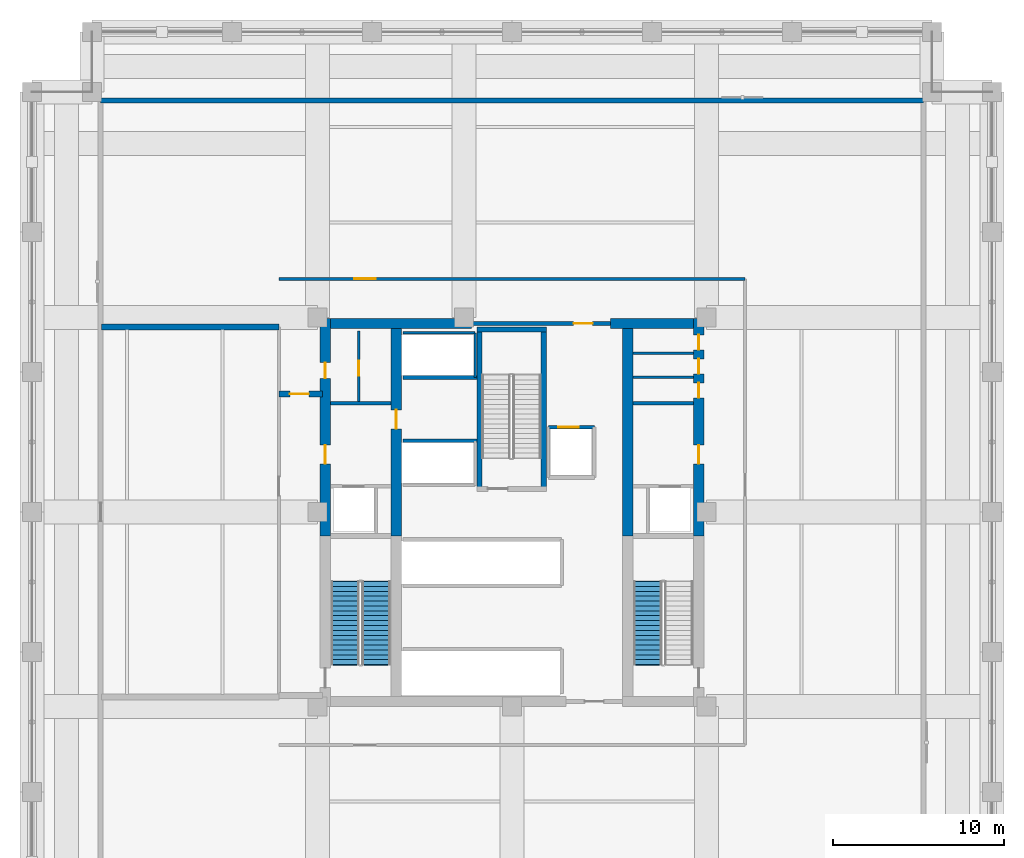
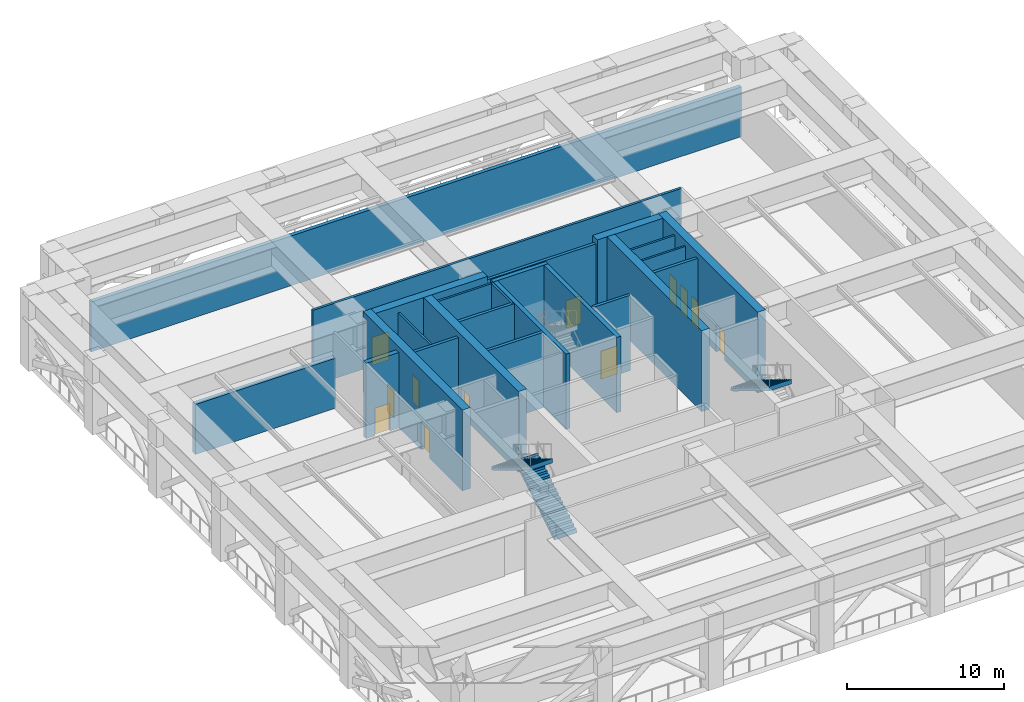
# One storey, part 4 of 12: 24 walls, 12 doors, 3 stair flights, 12 openings, 2 elements without a shape of their own.
"""IFC4 building model written with IfcOpenShell, lengths in metres."""

from ifc_helpers import new_model, si_unit, direction, frame, frame_2d, origin, place, context, subcontext, project, spatial, polyline, rectangle, outline, extrude, material, layer, layer_set, type_object, element, fill, aggregate, save


model = new_model("IFC4")

# Units and contexts
model_context = context("Model", 3, precision=1e-05, world=origin(), true_north=direction((0.0, 1.0)))
body_context = subcontext(model_context, "Body", "Model", "MODEL_VIEW")
ifc_project = project(units=[si_unit("LENGTHUNIT", "METRE"), si_unit("AREAUNIT", "SQUARE_METRE"), si_unit("VOLUMEUNIT", "CUBIC_METRE"), si_unit("PLANEANGLEUNIT", "RADIAN"), si_unit("MASSUNIT", "GRAM", prefix="KILO")], contexts=[model_context])

# Site, building, storey
site_placement = place(None, origin())
site = spatial("IfcSite", under=ifc_project, at=site_placement, CompositionType="ELEMENT")
building_placement = place(site_placement, origin())
building = spatial("IfcBuilding", under=site, at=building_placement, Name="Nhamokura Convention Tower", CompositionType="ELEMENT")
storey_placement = place(building_placement, frame((0.0, 0.0, 99.75)))
storey = spatial("IfcBuildingStorey", under=building, at=storey_placement, Name="L24", CompositionType="ELEMENT", Elevation=99.75)

# Wall, opening, door
ifc_material_1 = material(Name="Moisture-resistant tile-backer partition", Category="masonry")
ifc_layer_1 = layer(ifc_material_1, 0.139892578125)
ifc_layer_set_1 = layer_set([ifc_layer_1], Name="BathroomWetWall_140")
wall_type_1 = type_object("IfcWallType", Name="BathroomWetWall_140", PredefinedType="STANDARD", material=ifc_layer_set_1)
wall_1_placement = place(storey_placement, frame((23.050048828125, 38.449951171875, 0.0), z_axis=(0.0, 0.0, 1.0), x_axis=(0.0, 1.0, 0.0)))
wall_1 = element("IfcWall", 1, at=wall_1_placement, inside=storey, type_object=wall_type_1, Name="L24 Wall INT-L24-CWNWV", PredefinedType="STANDARD", context=body_context, shape_type="SweptSolid", body=[
    extrude(rectangle(XDim=4.10009765625, YDim=0.139892578125, at=frame_2d((2.050048828125, 0.0))), origin(), (0.0, 0.0, 1.0), 5.8798828125),
])
opening_1_placement = place(wall_1_placement, frame((1.5, 0.0, 0.0)))
opening_1 = element("IfcOpeningElement", 2, at=opening_1_placement, cuts=wall_1, Name="Opening D-11", PredefinedType="OPENING", context=body_context, shape_type="SweptSolid", body=[
    extrude(rectangle(XDim=0.8798828125, YDim=2.10009765625, at=frame_2d((0.43994140625, 1.050048828125))), frame((0.0, 0.079833984375, 0.0), z_axis=(0.0, -1.0, 0.0), x_axis=(1.0, 0.0, 0.0)), (0.0, 0.0, 1.0), 0.159912109375),
])
ifc_material_2 = material(Name="Solid oak hardwood", Category="wood")
door_type_1 = type_object("IfcDoorType", Name="BathroomDoor_880", OperationType="NOTDEFINED", PredefinedType="DOOR", material=ifc_material_2)
door_1_placement = place(opening_1_placement, origin())
door_1 = element("IfcDoor", 3, at=door_1_placement, inside=storey, type_object=door_type_1, Name="L24 Inner Store Door", OperationType="SINGLE_SWING_LEFT", OverallHeight=2.10009765625, OverallWidth=0.8798828125, PredefinedType="DOOR", context=body_context, shape_type="SweptSolid", body=[
    extrude(rectangle(XDim=0.8798828125, YDim=2.10009765625, at=frame_2d((0.43994140625, 1.050048828125))), frame((0.0, 0.02490234375, 0.0), z_axis=(0.0, -1.0, 0.0), x_axis=(1.0, 0.0, 0.0)), (0.0, 0.0, 1.0), 0.050048828125),
])
fill(opening_1, door_1)

# Walls
for number, where, z_axis, x_axis, name in (
    (4, (39.06005859375, 39.85009765625, 0.0), (0.0, 0.0, 1.0), (1.0, 0.0, 0.0), "L24 Wall INT-L24-CWNE1"),
    (5, (39.06005859375, 41.25, 0.0), (0.0, 0.0, 1.0), (1.0, 0.0, 0.0), "L24 Wall INT-L24-CWNE2"),
):
    element("IfcWall", number, at=place(storey_placement, frame(where, z_axis=z_axis, x_axis=x_axis)), inside=storey, type_object=wall_type_1, Name=name, PredefinedType="STANDARD", context=body_context, shape_type="SweptSolid", body=[
        extrude(rectangle(XDim=3.530029296875, YDim=0.139892578125, at=frame_2d((1.76513671875, 0.0))), origin(), (0.0, 0.0, 1.0), 5.8798828125),
    ])
ifc_material_3 = material(Name="Bronze-pigmented precast concrete C45/55", Category="concrete")
ifc_layer_2 = layer(ifc_material_3, 0.280029296875)
ifc_layer_set_2 = layer_set([ifc_layer_2], Name="BronzePrecastSpandrel_280")
wall_type_2 = type_object("IfcWallType", Name="BronzePrecastSpandrel_280", PredefinedType="USERDEFINED", material=ifc_layer_set_2)
wall_2_placement = place(storey_placement, frame((8.0, 56.0, 0.0), z_axis=(0.0, 0.0, 1.0), x_axis=(1.0, 0.0, 0.0)))
element("IfcWall", 6, at=wall_2_placement, inside=storey, type_object=wall_type_2, Name="L24 Refuge Deck Enclosure Wall N", ObjectType="SPANDREL_WALL", PredefinedType="USERDEFINED", context=body_context, shape_type="SweptSolid", body=[
    extrude(rectangle(XDim=48.0, YDim=0.280029296875, at=frame_2d((24.0, 0.0))), origin(), (0.0, 0.0, 1.0), 3.8798828125),
])

# Wall, openings, doors
ifc_material_4 = material(Name="Concrete C60/75", Category="concrete")
ifc_layer_3 = layer(ifc_material_4, 0.60009765625)
ifc_layer_set_3 = layer_set([ifc_layer_3], Name="CoreShearWall_600")
wall_type_3 = type_object("IfcWallType", Name="CoreShearWall_600", PredefinedType="SHEAR", material=ifc_layer_set_3)
wall_3_placement = place(storey_placement, frame((21.110107421875, 30.60009765625, 0.0), z_axis=(0.0, 0.0, 1.0), x_axis=(0.0, 1.0, 0.0)))
wall_3 = element("IfcWall", 7, at=wall_3_placement, inside=storey, type_object=wall_type_3, Name="L24 Core Shear Wall CW-WN", PredefinedType="SHEAR", context=body_context, shape_type="SweptSolid", body=[
    extrude(rectangle(XDim=12.699951171875, YDim=0.60009765625, at=frame_2d((6.35009765625, 0.0))), origin(), (0.0, 0.0, 1.0), 6.300048828125),
])
opening_2_placement = place(wall_3_placement, frame((4.199951171875, 0.0, 0.0)))
opening_2 = element("IfcOpeningElement", 8, at=opening_2_placement, cuts=wall_3, Name="Opening D-05", PredefinedType="OPENING", context=body_context, shape_type="SweptSolid", body=[
    extrude(rectangle(XDim=1.10009765625, YDim=2.14990234375, at=frame_2d((0.550048828125, 1.074951171875))), frame((0.0, 0.31005859375, 0.0), z_axis=(0.0, -1.0, 0.0), x_axis=(1.0, 0.0, 0.0)), (0.0, 0.0, 1.0), 0.6201171875),
])
opening_3_placement = place(wall_3_placement, frame((9.199951171875, 0.0, 0.0)))
opening_3 = element("IfcOpeningElement", 9, at=opening_3_placement, cuts=wall_3, Name="Opening D-10", PredefinedType="OPENING", context=body_context, shape_type="SweptSolid", body=[
    extrude(rectangle(XDim=0.919921875, YDim=2.10009765625, at=frame_2d((0.4599609375, 1.050048828125))), frame((0.0, 0.31005859375, 0.0), z_axis=(0.0, -1.0, 0.0), x_axis=(1.0, 0.0, 0.0)), (0.0, 0.0, 1.0), 0.6201171875),
])
ifc_material_5 = material(Name="Solid oak hardwood", Category="wood")
door_type_2 = type_object("IfcDoorType", Name="AccessibleWCDoor_920", OperationType="NOTDEFINED", PredefinedType="DOOR", material=ifc_material_5)
door_2_placement = place(opening_3_placement, origin())
door_2 = element("IfcDoor", 10, at=door_2_placement, inside=storey, type_object=door_type_2, Name="L24 Core Door INT-L24-D-AWCW", OperationType="SINGLE_SWING_RIGHT", OverallHeight=2.10009765625, OverallWidth=0.919921875, PredefinedType="DOOR", context=body_context, shape_type="SweptSolid", body=[
    extrude(rectangle(XDim=0.919921875, YDim=2.10009765625, at=frame_2d((0.4599609375, 1.050048828125))), frame((0.0, 0.02490234375, 0.0), z_axis=(0.0, -1.0, 0.0), x_axis=(1.0, 0.0, 0.0)), (0.0, 0.0, 1.0), 0.050048828125),
])
fill(opening_3, door_2)
ifc_material_6 = material(Name="Fire-rated steel door", Category="steel")
door_type_3 = type_object("IfcDoorType", Name="FireLobbyDoor_1100", OperationType="NOTDEFINED", PredefinedType="DOOR", material=ifc_material_6)
door_3_placement = place(opening_2_placement, origin())
door_3 = element("IfcDoor", 11, at=door_3_placement, inside=storey, type_object=door_type_3, Name="L24 Core Door INT-L24-D-FFLW", OperationType="SINGLE_SWING_RIGHT", OverallHeight=2.14990234375, OverallWidth=1.10009765625, PredefinedType="DOOR", context=body_context, shape_type="SweptSolid", body=[
    extrude(rectangle(XDim=1.10009765625, YDim=2.14990234375, at=frame_2d((0.550048828125, 1.074951171875))), frame((0.0, 0.02490234375, 0.0), z_axis=(0.0, -1.0, 0.0), x_axis=(1.0, 0.0, 0.0)), (0.0, 0.0, 1.0), 0.050048828125),
])
fill(opening_2, door_3)

wall_4_placement = place(storey_placement, frame((42.889892578125, 30.60009765625, 0.0), z_axis=(0.0, 0.0, 1.0), x_axis=(0.0, 1.0, 0.0)))
wall_4 = element("IfcWall", 12, at=wall_4_placement, inside=storey, type_object=wall_type_3, Name="L24 Core Shear Wall CW-EN", PredefinedType="SHEAR", context=body_context, shape_type="SweptSolid", body=[
    extrude(rectangle(XDim=12.699951171875, YDim=0.60009765625, at=frame_2d((6.35009765625, 0.0))), origin(), (0.0, 0.0, 1.0), 6.300048828125),
])
opening_4_placement = place(wall_4_placement, frame((4.199951171875, 0.0, 0.0)))
opening_4 = element("IfcOpeningElement", 13, at=opening_4_placement, cuts=wall_4, Name="Opening D-05", PredefinedType="OPENING", context=body_context, shape_type="SweptSolid", body=[
    extrude(rectangle(XDim=1.10009765625, YDim=2.14990234375, at=frame_2d((0.550048828125, 1.074951171875))), frame((0.0, 0.31005859375, 0.0), z_axis=(0.0, -1.0, 0.0), x_axis=(1.0, 0.0, 0.0)), (0.0, 0.0, 1.0), 0.6201171875),
])
opening_5_placement = place(wall_4_placement, frame((8.050048828125, 0.0, 0.0)))
opening_5 = element("IfcOpeningElement", 14, at=opening_5_placement, cuts=wall_4, Name="Opening D-11", PredefinedType="OPENING", context=body_context, shape_type="SweptSolid", body=[
    extrude(rectangle(XDim=0.8798828125, YDim=2.10009765625, at=frame_2d((0.43994140625, 1.050048828125))), frame((0.0, 0.31005859375, 0.0), z_axis=(0.0, -1.0, 0.0), x_axis=(1.0, 0.0, 0.0)), (0.0, 0.0, 1.0), 0.6201171875),
])
opening_6_placement = place(wall_4_placement, frame((9.449951171875, 0.0, 0.0)))
opening_6 = element("IfcOpeningElement", 15, at=opening_6_placement, cuts=wall_4, Name="Opening D-11", PredefinedType="OPENING", context=body_context, shape_type="SweptSolid", body=[
    extrude(rectangle(XDim=0.8798828125, YDim=2.10009765625, at=frame_2d((0.43994140625, 1.050048828125))), frame((0.0, 0.31005859375, 0.0), z_axis=(0.0, -1.0, 0.0), x_axis=(1.0, 0.0, 0.0)), (0.0, 0.0, 1.0), 0.6201171875),
])
opening_7_placement = place(wall_4_placement, frame((10.85009765625, 0.0, 0.0)))
opening_7 = element("IfcOpeningElement", 16, at=opening_7_placement, cuts=wall_4, Name="Opening D-11", PredefinedType="OPENING", context=body_context, shape_type="SweptSolid", body=[
    extrude(rectangle(XDim=0.8798828125, YDim=2.10009765625, at=frame_2d((0.43994140625, 1.050048828125))), frame((0.0, 0.31005859375, 0.0), z_axis=(0.0, -1.0, 0.0), x_axis=(1.0, 0.0, 0.0)), (0.0, 0.0, 1.0), 0.6201171875),
])
door_4_placement = place(opening_5_placement, origin())
door_4 = element("IfcDoor", 17, at=door_4_placement, inside=storey, type_object=door_type_1, Name="L24 Core Door INT-L24-D-MWC", OperationType="SINGLE_SWING_LEFT", OverallHeight=2.10009765625, OverallWidth=0.8798828125, PredefinedType="DOOR", context=body_context, shape_type="SweptSolid", body=[
    extrude(rectangle(XDim=0.8798828125, YDim=2.10009765625, at=frame_2d((0.43994140625, 1.050048828125))), frame((0.0, 0.02490234375, 0.0), z_axis=(0.0, -1.0, 0.0), x_axis=(1.0, 0.0, 0.0)), (0.0, 0.0, 1.0), 0.050048828125),
])
fill(opening_5, door_4)
door_5_placement = place(opening_6_placement, origin())
door_5 = element("IfcDoor", 18, at=door_5_placement, inside=storey, type_object=door_type_1, Name="L24 Core Door INT-L24-D-FWC", OperationType="SINGLE_SWING_RIGHT", OverallHeight=2.10009765625, OverallWidth=0.8798828125, PredefinedType="DOOR", context=body_context, shape_type="SweptSolid", body=[
    extrude(rectangle(XDim=0.8798828125, YDim=2.10009765625, at=frame_2d((0.43994140625, 1.050048828125))), frame((0.0, 0.02490234375, 0.0), z_axis=(0.0, -1.0, 0.0), x_axis=(1.0, 0.0, 0.0)), (0.0, 0.0, 1.0), 0.050048828125),
])
fill(opening_6, door_5)
door_6_placement = place(opening_7_placement, origin())
door_6 = element("IfcDoor", 19, at=door_6_placement, inside=storey, type_object=door_type_1, Name="L24 Core Door INT-L24-D-ARC", OperationType="SINGLE_SWING_LEFT", OverallHeight=2.10009765625, OverallWidth=0.8798828125, PredefinedType="DOOR", context=body_context, shape_type="SweptSolid", body=[
    extrude(rectangle(XDim=0.8798828125, YDim=2.10009765625, at=frame_2d((0.43994140625, 1.050048828125))), frame((0.0, 0.02490234375, 0.0), z_axis=(0.0, -1.0, 0.0), x_axis=(1.0, 0.0, 0.0)), (0.0, 0.0, 1.0), 0.050048828125),
])
fill(opening_7, door_6)
door_7_placement = place(opening_4_placement, origin())
door_7 = element("IfcDoor", 20, at=door_7_placement, inside=storey, type_object=door_type_3, Name="L24 Core Door INT-L24-D-FFLE", OperationType="SINGLE_SWING_LEFT", OverallHeight=2.14990234375, OverallWidth=1.10009765625, PredefinedType="DOOR", context=body_context, shape_type="SweptSolid", body=[
    extrude(rectangle(XDim=1.10009765625, YDim=2.14990234375, at=frame_2d((0.550048828125, 1.074951171875))), frame((0.0, 0.02490234375, 0.0), z_axis=(0.0, -1.0, 0.0), x_axis=(1.0, 0.0, 0.0)), (0.0, 0.0, 1.0), 0.050048828125),
])
fill(opening_4, door_7)

# Walls
wall_5_placement = place(storey_placement, frame((21.409912109375, 43.0, 0.0), z_axis=(0.0, 0.0, 1.0), x_axis=(1.0, 0.0, 0.0)))
element("IfcWall", 21, at=wall_5_placement, inside=storey, type_object=wall_type_3, Name="L24 Core Shear Wall CW-N1", PredefinedType="SHEAR", context=body_context, shape_type="SweptSolid", body=[
    extrude(rectangle(XDim=8.239990234375, YDim=0.60009765625, at=frame_2d((4.1201171875, 0.0))), origin(), (0.0, 0.0, 1.0), 6.300048828125),
])
wall_6_placement = place(storey_placement, frame((37.75, 43.0, 0.0), z_axis=(0.0, 0.0, 1.0), x_axis=(1.0, 0.0, 0.0)))
element("IfcWall", 22, at=wall_6_placement, inside=storey, type_object=wall_type_3, Name="L24 Core Shear Wall CW-N2", PredefinedType="SHEAR", context=body_context, shape_type="SweptSolid", body=[
    extrude(rectangle(XDim=4.840087890625, YDim=0.60009765625, at=frame_2d((2.419921875, 0.0))), origin(), (0.0, 0.0, 1.0), 6.300048828125),
])

# Wall, opening, door
wall_7_placement = place(storey_placement, frame((25.239990234375, 30.60009765625, 0.0), z_axis=(0.0, 0.0, 1.0), x_axis=(0.0, 1.0, 0.0)))
wall_7 = element("IfcWall", 23, at=wall_7_placement, inside=storey, type_object=wall_type_3, Name="L24 Core Shear Wall CW-IWN", PredefinedType="SHEAR", context=body_context, shape_type="SweptSolid", body=[
    extrude(rectangle(XDim=12.099853515625, YDim=0.60009765625, at=frame_2d((6.0498046875, 0.0))), origin(), (0.0, 0.0, 1.0), 6.300048828125),
])
opening_8_placement = place(wall_7_placement, frame((6.25, 0.0, 0.0)))
opening_8 = element("IfcOpeningElement", 24, at=opening_8_placement, cuts=wall_7, Name="Opening D-05", PredefinedType="OPENING", context=body_context, shape_type="SweptSolid", body=[
    extrude(rectangle(XDim=1.10009765625, YDim=2.14990234375, at=frame_2d((0.550048828125, 1.074951171875))), frame((0.0, 0.31005859375, 0.0), z_axis=(0.0, -1.0, 0.0), x_axis=(1.0, 0.0, 0.0)), (0.0, 0.0, 1.0), 0.6201171875),
])
door_8_placement = place(opening_8_placement, origin())
door_8 = element("IfcDoor", 25, at=door_8_placement, inside=storey, type_object=door_type_3, Name="L24 Core Door INT-L24-D-B3LOB", OperationType="SINGLE_SWING_LEFT", OverallHeight=2.14990234375, OverallWidth=1.10009765625, PredefinedType="DOOR", context=body_context, shape_type="SweptSolid", body=[
    extrude(rectangle(XDim=1.10009765625, YDim=2.14990234375, at=frame_2d((0.550048828125, 1.074951171875))), frame((0.0, 0.02490234375, 0.0), z_axis=(0.0, -1.0, 0.0), x_axis=(1.0, 0.0, 0.0)), (0.0, 0.0, 1.0), 0.050048828125),
])
fill(opening_8, door_8)

# Wall
wall_8_placement = place(storey_placement, frame((38.760009765625, 30.60009765625, 0.0), z_axis=(0.0, 0.0, 1.0), x_axis=(0.0, 1.0, 0.0)))
element("IfcWall", 26, at=wall_8_placement, inside=storey, type_object=wall_type_3, Name="L24 Core Shear Wall CW-IEN", PredefinedType="SHEAR", context=body_context, shape_type="SweptSolid", body=[
    extrude(rectangle(XDim=12.099853515625, YDim=0.60009765625, at=frame_2d((6.0498046875, 0.0))), origin(), (0.0, 0.0, 1.0), 6.300048828125),
])

# Wall, opening, door
ifc_material_7 = material(Name="Fire-rated gypsum and masonry partition", Category="masonry")
ifc_layer_4 = layer(ifc_material_7, 0.179931640625)
ifc_layer_set_4 = layer_set([ifc_layer_4], Name="CorridorRatedWall_180")
wall_type_4 = type_object("IfcWallType", Name="CorridorRatedWall_180", PredefinedType="STANDARD", material=ifc_layer_set_4)
wall_9_placement = place(storey_placement, frame((18.39990234375, 45.60009765625, 0.0), z_axis=(0.0, 0.0, 1.0), x_axis=(1.0, 0.0, 0.0)))
wall_9 = element("IfcWall", 27, at=wall_9_placement, inside=storey, type_object=wall_type_4, Name="L24 Wall INT-L24-CW-N00", PredefinedType="STANDARD", context=body_context, shape_type="SweptSolid", body=[
    extrude(rectangle(XDim=27.2001953125, YDim=0.179931640625, at=frame_2d((13.60009765625, 0.0))), origin(), (0.0, 0.0, 1.0), 5.8798828125),
])
opening_9_placement = place(wall_9_placement, frame((4.39990234375, 0.0, 0.0)))
opening_9 = element("IfcOpeningElement", 28, at=opening_9_placement, cuts=wall_9, Name="Opening D-12", PredefinedType="OPENING", context=body_context, shape_type="SweptSolid", body=[
    extrude(rectangle(XDim=1.25, YDim=2.199951171875, at=frame_2d((0.625, 1.10009765625))), frame((0.0, 0.099853515625, 0.0), z_axis=(0.0, -1.0, 0.0), x_axis=(1.0, 0.0, 0.0)), (0.0, 0.0, 1.0), 0.199951171875),
])
ifc_material_8 = material(Name="Fire-rated steel door", Category="steel")
door_type_4 = type_object("IfcDoorType", Name="PlantServiceDoor_1250", OperationType="NOTDEFINED", PredefinedType="DOOR", material=ifc_material_8)
door_9_placement = place(opening_9_placement, origin())
door_9 = element("IfcDoor", 29, at=door_9_placement, inside=storey, type_object=door_type_4, Name="L24 High-Altitude AHU Plant N01 Door", OperationType="SINGLE_SWING_LEFT", OverallHeight=2.199951171875, OverallWidth=1.25, PredefinedType="DOOR", context=body_context, shape_type="SweptSolid", body=[
    extrude(rectangle(XDim=1.25, YDim=2.199951171875, at=frame_2d((0.625, 1.10009765625))), frame((0.0, 0.02490234375, 0.0), z_axis=(0.0, -1.0, 0.0), x_axis=(1.0, 0.0, 0.0)), (0.0, 0.0, 1.0), 0.050048828125),
])
fill(opening_9, door_9)

# Walls
ifc_material_9 = material(Name="Autoclaved concrete blockwork", Category="masonry")
ifc_layer_5 = layer(ifc_material_9, 0.219970703125)
ifc_layer_set_5 = layer_set([ifc_layer_5], Name="FireLobbyWall_220")
wall_type_5 = type_object("IfcWallType", Name="FireLobbyWall_220", PredefinedType="STANDARD", material=ifc_layer_set_5)
for number, where, z_axis, x_axis, name in (
    (30, (21.409912109375, 38.35009765625, 0.0), (0.0, 0.0, 1.0), (1.0, 0.0, 0.0), "L24 Wall INT-L24-FFW-N"),
    (31, (39.06005859375, 38.35009765625, 0.0), (0.0, 0.0, 1.0), (1.0, 0.0, 0.0), "L24 Wall INT-L24-FFE-N"),
):
    element("IfcWall", number, at=place(storey_placement, frame(where, z_axis=z_axis, x_axis=x_axis)), inside=storey, type_object=wall_type_5, Name=name, PredefinedType="STANDARD", context=body_context, shape_type="SweptSolid", body=[
        extrude(rectangle(XDim=3.530029296875, YDim=0.219970703125, at=frame_2d((1.76513671875, 0.0))), origin(), (0.0, 0.0, 1.0), 5.8798828125),
    ])
for number, where, z_axis, x_axis, name in (
    (32, (25.64990234375, 36.14990234375, 0.0), (0.0, 0.0, 1.0), (1.0, 0.0, 0.0), "L24 Wall INT-L24-B3S"),
    (33, (25.64990234375, 39.85009765625, 0.0), (0.0, 0.0, 1.0), (1.0, 0.0, 0.0), "L24 Wall INT-L24-B3N"),
):
    element("IfcWall", number, at=place(storey_placement, frame(where, z_axis=z_axis, x_axis=x_axis)), inside=storey, type_object=wall_type_5, Name=name, PredefinedType="STANDARD", context=body_context, shape_type="SweptSolid", body=[
        extrude(rectangle(XDim=4.300048828125, YDim=0.219970703125, at=frame_2d((2.14990234375, 0.0))), origin(), (0.0, 0.0, 1.0), 5.8798828125),
    ])

# Wall, opening, door
wall_10_placement = place(storey_placement, frame((29.64990234375, 43.0, 0.0), z_axis=(0.0, 0.0, 1.0), x_axis=(1.0, 0.0, 0.0)))
wall_10 = element("IfcWall", 34, at=wall_10_placement, inside=storey, type_object=wall_type_5, Name="L24 Wall INT-L24-CPORT-N", PredefinedType="STANDARD", context=body_context, shape_type="SweptSolid", body=[
    extrude(rectangle(XDim=8.10009765625, YDim=0.219970703125, at=frame_2d((4.050048828125, 0.0))), origin(), (0.0, 0.0, 1.0), 5.8798828125),
])
opening_10_placement = place(wall_10_placement, frame((5.949951171875, 0.0, 0.0)))
opening_10 = element("IfcOpeningElement", 35, at=opening_10_placement, cuts=wall_10, Name="Opening D-05", PredefinedType="OPENING", context=body_context, shape_type="SweptSolid", body=[
    extrude(rectangle(XDim=1.10009765625, YDim=2.14990234375, at=frame_2d((0.550048828125, 1.074951171875))), frame((0.0, 0.119873046875, 0.0), z_axis=(0.0, -1.0, 0.0), x_axis=(1.0, 0.0, 0.0)), (0.0, 0.0, 1.0), 0.239990234375),
])
door_10_placement = place(opening_10_placement, origin())
door_10 = element("IfcDoor", 36, at=door_10_placement, inside=storey, type_object=door_type_3, Name="L24 North Core Lobby Portal Door", OperationType="SINGLE_SWING_RIGHT", OverallHeight=2.14990234375, OverallWidth=1.10009765625, PredefinedType="DOOR", context=body_context, shape_type="SweptSolid", body=[
    extrude(rectangle(XDim=1.10009765625, YDim=2.14990234375, at=frame_2d((0.550048828125, 1.074951171875))), frame((0.0, 0.02490234375, 0.0), z_axis=(0.0, -1.0, 0.0), x_axis=(1.0, 0.0, 0.0)), (0.0, 0.0, 1.0), 0.050048828125),
])
fill(opening_10, door_10)

wall_11_placement = place(storey_placement, frame((34.1201171875, 36.949951171875, 0.0), z_axis=(0.0, 0.0, 1.0), x_axis=(1.0, 0.0, 0.0)))
wall_11 = element("IfcWall", 37, at=wall_11_placement, inside=storey, type_object=wall_type_5, Name="L24 Wall INT-L24-LSN", PredefinedType="STANDARD", context=body_context, shape_type="SweptSolid", body=[
    extrude(rectangle(XDim=2.679931640625, YDim=0.219970703125, at=frame_2d((1.33984375, 0.0))), origin(), (0.0, 0.0, 1.0), 5.8798828125),
])
opening_11_placement = place(wall_11_placement, frame((0.580078125, 0.0, 0.0)))
opening_11 = element("IfcOpeningElement", 38, at=opening_11_placement, cuts=wall_11, Name="Opening LD-02", PredefinedType="OPENING", context=body_context, shape_type="SweptSolid", body=[
    extrude(rectangle(XDim=1.199951171875, YDim=2.199951171875, at=frame_2d((0.60009765625, 1.10009765625))), frame((0.0, 0.119873046875, 0.0), z_axis=(0.0, -1.0, 0.0), x_axis=(1.0, 0.0, 0.0)), (0.0, 0.0, 1.0), 0.239990234375),
])
ifc_material_10 = material(Name="Anodised bronze stainless steel", Category="steel")
door_type_5 = type_object("IfcDoorType", Name="LiftLandingDoor_FireService", OperationType="DOUBLE_DOOR_SLIDING", PredefinedType="DOOR", material=ifc_material_10)
door_11_placement = place(opening_11_placement, origin())
door_11 = element("IfcDoor", 39, at=door_11_placement, inside=storey, type_object=door_type_5, Name="L24 Service Lift LS-01 Door", OperationType="DOUBLE_DOOR_SLIDING", OverallHeight=2.199951171875, OverallWidth=1.199951171875, PredefinedType="DOOR", context=body_context, shape_type="SweptSolid", body=[
    extrude(rectangle(XDim=1.199951171875, YDim=2.199951171875, at=frame_2d((0.60009765625, 1.10009765625))), frame((0.0, 0.02490234375, 0.0), z_axis=(0.0, -1.0, 0.0), x_axis=(1.0, 0.0, 0.0)), (0.0, 0.0, 1.0), 0.050048828125),
])
fill(opening_11, door_11)

ifc_material_11 = material(Name="Concrete C50/60", Category="concrete")
ifc_layer_6 = layer(ifc_material_11, 0.35009765625)
ifc_layer_set_6 = layer_set([ifc_layer_6], Name="FirewallPlant_350")
wall_type_6 = type_object("IfcWallType", Name="FirewallPlant_350", PredefinedType="STANDARD", material=ifc_layer_set_6)
wall_12_placement = place(storey_placement, frame((18.39990234375, 38.8798828125, 0.0), z_axis=(0.0, 0.0, 1.0), x_axis=(1.0, 0.0, 0.0)))
wall_12 = element("IfcWall", 40, at=wall_12_placement, inside=storey, type_object=wall_type_6, Name="L24 Wall INT-L24-RLOB-N", PredefinedType="STANDARD", context=body_context, shape_type="SweptSolid", body=[
    extrude(rectangle(XDim=2.550048828125, YDim=0.35009765625, at=frame_2d((1.27490234375, 0.0))), origin(), (0.0, 0.0, 1.0), 5.8798828125),
])
opening_12_placement = place(wall_12_placement, frame((0.64990234375, 0.0, 0.0)))
opening_12 = element("IfcOpeningElement", 41, at=opening_12_placement, cuts=wall_12, Name="Opening D-05", PredefinedType="OPENING", context=body_context, shape_type="SweptSolid", body=[
    extrude(rectangle(XDim=1.10009765625, YDim=2.14990234375, at=frame_2d((0.550048828125, 1.074951171875))), frame((0.0, 0.18505859375, 0.0), z_axis=(0.0, -1.0, 0.0), x_axis=(1.0, 0.0, 0.0)), (0.0, 0.0, 1.0), 0.3701171875),
])
door_12_placement = place(opening_12_placement, origin())
door_12 = element("IfcDoor", 42, at=door_12_placement, inside=storey, type_object=door_type_3, Name="L24 Refuge Lobby North Door", OperationType="SINGLE_SWING_RIGHT", OverallHeight=2.14990234375, OverallWidth=1.10009765625, PredefinedType="DOOR", context=body_context, shape_type="SweptSolid", body=[
    extrude(rectangle(XDim=1.10009765625, YDim=2.14990234375, at=frame_2d((0.550048828125, 1.074951171875))), frame((0.0, 0.02490234375, 0.0), z_axis=(0.0, -1.0, 0.0), x_axis=(1.0, 0.0, 0.0)), (0.0, 0.0, 1.0), 0.050048828125),
])
fill(opening_12, door_12)

# Walls
wall_13_placement = place(storey_placement, frame((8.050048828125, 42.800048828125, 0.0), z_axis=(0.0, 0.0, 1.0), x_axis=(1.0, 0.0, 0.0)))
element("IfcWall", 43, at=wall_13_placement, inside=storey, type_object=wall_type_6, Name="L24 Wall INT-L24-RWT-W", PredefinedType="STANDARD", context=body_context, shape_type="SweptSolid", body=[
    extrude(rectangle(XDim=10.349853515625, YDim=0.35009765625, at=frame_2d((5.1748046875, 0.0))), origin(), (0.0, 0.0, 1.0), 3.907958984375),
])
ifc_material_12 = material(Name="Acoustic gypsum stud partition", Category="masonry")
ifc_layer_7 = layer(ifc_material_12, 0.14990234375)
ifc_layer_set_7 = layer_set([ifc_layer_7], Name="InteriorPartition_150")
wall_type_7 = type_object("IfcWallType", Name="InteriorPartition_150", PredefinedType="STANDARD", material=ifc_layer_set_7)
wall_14_placement = place(storey_placement, frame((25.64990234375, 42.449951171875, 0.0), z_axis=(0.0, 0.0, 1.0), x_axis=(1.0, 0.0, 0.0)))
element("IfcWall", 44, at=wall_14_placement, inside=storey, type_object=wall_type_7, Name="L24 Wall INT-L24-B3B-N", PredefinedType="STANDARD", context=body_context, shape_type="SweptSolid", body=[
    extrude(rectangle(XDim=4.2001953125, YDim=0.14990234375, at=frame_2d((2.10009765625, 0.0))), origin(), (0.0, 0.0, 1.0), 5.8798828125),
])
wall_15_placement = place(storey_placement, frame((29.85009765625, 39.85009765625, 0.0), z_axis=(0.0, 0.0, 1.0), x_axis=(0.0, 1.0, 0.0)))
element("IfcWall", 45, at=wall_15_placement, inside=storey, type_object=wall_type_7, Name="L24 Wall INT-L24-B3B-E", PredefinedType="STANDARD", context=body_context, shape_type="SweptSolid", body=[
    extrude(rectangle(XDim=2.599853515625, YDim=0.14990234375, at=frame_2d((1.2998046875, 0.0))), origin(), (0.0, 0.0, 1.0), 5.8798828125),
])
ifc_material_13 = material(Name="Concrete C50/60", Category="concrete")
ifc_layer_8 = layer(ifc_material_13, 0.300048828125)
ifc_layer_set_8 = layer_set([ifc_layer_8], Name="ShaftEnclosureWall_300")
wall_type_8 = type_object("IfcWallType", Name="ShaftEnclosureWall_300", PredefinedType="SHEAR", material=ifc_layer_set_8)
for number, where, z_axis, x_axis, name in (
    (46, (30.10009765625, 33.199951171875, 0.0), (0.0, 0.0, 1.0), (0.0, 1.0, 0.0), "L24 Wall INT-L24-ST03W"),
    (47, (33.85009765625, 33.199951171875, 0.0), (0.0, 0.0, 1.0), (0.0, 1.0, 0.0), "L24 Wall INT-L24-ST03E"),
):
    element("IfcWall", number, at=place(storey_placement, frame(where, z_axis=z_axis, x_axis=x_axis)), inside=storey, type_object=wall_type_8, Name=name, PredefinedType="SHEAR", context=body_context, shape_type="SweptSolid", body=[
        extrude(rectangle(XDim=9.60009765625, YDim=0.300048828125, at=frame_2d((4.800048828125, 0.0))), origin(), (0.0, 0.0, 1.0), 5.8798828125),
    ])
wall_16_placement = place(storey_placement, frame((29.949951171875, 42.64990234375, 0.0), z_axis=(0.0, 0.0, 1.0), x_axis=(1.0, 0.0, 0.0)))
element("IfcWall", 48, at=wall_16_placement, inside=storey, type_object=wall_type_8, Name="L24 Wall INT-L24-ST03N", PredefinedType="SHEAR", context=body_context, shape_type="SweptSolid", body=[
    extrude(rectangle(XDim=4.050048828125, YDim=0.300048828125, at=frame_2d((2.02490234375, 0.0))), origin(), (0.0, 0.0, 1.0), 5.8798828125),
])

# Stair, stair flights
ifc_material_14 = material(Name="Concrete C40/50", Category="concrete")
stair_type = type_object("IfcStairType", Name="TowerCoreStair_1650", PredefinedType="HALF_TURN_STAIR", material=ifc_material_14)
stair_1_placement = place(storey_placement, origin())
stair_1 = element("IfcStair", 49, at=stair_1_placement, inside=storey, type_object=stair_type, Name="L24 West Core Smokeproof Stair ST-01", PredefinedType="HALF_TURN_STAIR")
ifc_material_15 = material(Name="Concrete C40/50", Category="concrete")
stair_flight_type = type_object("IfcStairFlightType", Name="TowerCoreStair_1650_Flight", PredefinedType="STRAIGHT", material=ifc_material_15)
stair_flight_1_placement = place(storey_placement, frame((24.074951171875, 23.10009765625, 0.0), z_axis=(0.0, 0.0, 1.0), x_axis=(0.0, 1.0, 0.0)))
stair_flight_1 = element("IfcStairFlight", 50, at=stair_flight_1_placement, type_object=stair_flight_type, Name="ST-01 flight 1", NumberOfRisers=18, NumberOfTreads=17, PredefinedType="STRAIGHT", RiserHeight=0.175, TreadLength=0.285, context=body_context, shape_type="SweptSolid", body=[
    extrude(outline(polyline([(-0.0419921875, 0.0), (0.0, 0.175048828125), (0.284912109375, 0.175048828125), (0.284912109375, 0.35009765625), (0.570068359375, 0.35009765625), (0.570068359375, 0.52490234375), (0.85498046875, 0.52490234375), (0.85498046875, 0.699951171875), (1.139892578125, 0.699951171875), (1.139892578125, 0.875), (1.425048828125, 0.875), (1.425048828125, 1.050048828125), (1.7099609375, 1.050048828125), (1.7099609375, 1.22509765625), (1.9951171875, 1.22509765625), (1.9951171875, 1.39990234375), (2.280029296875, 1.39990234375), (2.280029296875, 1.574951171875), (2.56494140625, 1.574951171875), (2.56494140625, 1.75), (2.85009765625, 1.75), (2.85009765625, 1.925048828125), (3.135009765625, 1.925048828125), (3.135009765625, 2.10009765625), (3.419921875, 2.10009765625), (3.419921875, 2.27490234375), (3.705078125, 2.27490234375), (3.705078125, 2.449951171875), (3.989990234375, 2.449951171875), (3.989990234375, 2.625), (4.27490234375, 2.625), (4.27490234375, 2.800048828125), (4.56005859375, 2.800048828125), (4.56005859375, 2.97509765625), (4.844970703125, 2.97509765625), (4.844970703125, 3.14990234375), (4.886962890625, 3.14990234375), (4.886962890625, 2.799072265625), (4.844970703125, 2.799072265625), (0.286376953125, 0.0), (0.02001953125, -0.1298828125), (-0.0419921875, -0.1298828125), (-0.0419921875, 0.0)])), frame((0.0, 0.824951171875, 0.0), z_axis=(0.0, -1.0, 0.0), x_axis=(1.0, 0.0, 0.0)), (0.0, 0.0, 1.0), 1.64990234375),
])
stair_flight_2_placement = place(storey_placement, frame((22.27490234375, 27.945068359375, 3.14990234375), z_axis=(0.0, 0.0, 1.0), x_axis=(0.0, -1.0, 0.0)))
stair_flight_2 = element("IfcStairFlight", 51, at=stair_flight_2_placement, type_object=stair_flight_type, Name="ST-01 flight 2", NumberOfRisers=18, NumberOfTreads=17, PredefinedType="STRAIGHT", RiserHeight=0.175, TreadLength=0.285, context=body_context, shape_type="SweptSolid", body=[
    extrude(outline(polyline([(-0.0419921875, 0.0), (0.0, 0.175048828125), (0.284912109375, 0.175048828125), (0.284912109375, 0.35009765625), (0.570068359375, 0.35009765625), (0.570068359375, 0.52490234375), (0.85498046875, 0.52490234375), (0.85498046875, 0.699951171875), (1.139892578125, 0.699951171875), (1.139892578125, 0.875), (1.425048828125, 0.875), (1.425048828125, 1.050048828125), (1.7099609375, 1.050048828125), (1.7099609375, 1.22509765625), (1.9951171875, 1.22509765625), (1.9951171875, 1.39990234375), (2.280029296875, 1.39990234375), (2.280029296875, 1.574951171875), (2.56494140625, 1.574951171875), (2.56494140625, 1.75), (2.85009765625, 1.75), (2.85009765625, 1.925048828125), (3.135009765625, 1.925048828125), (3.135009765625, 2.10009765625), (3.419921875, 2.10009765625), (3.419921875, 2.27490234375), (3.705078125, 2.27490234375), (3.705078125, 2.449951171875), (3.989990234375, 2.449951171875), (3.989990234375, 2.625), (4.27490234375, 2.625), (4.27490234375, 2.800048828125), (4.56005859375, 2.800048828125), (4.56005859375, 2.97509765625), (4.844970703125, 2.97509765625), (4.844970703125, 3.14990234375), (4.886962890625, 3.14990234375), (4.886962890625, 2.799072265625), (4.844970703125, 2.799072265625), (0.286376953125, 0.0), (0.02001953125, -0.1298828125), (-0.0419921875, -0.1298828125), (-0.0419921875, 0.0)])), frame((0.0, 0.824951171875, 0.0), z_axis=(0.0, -1.0, 0.0), x_axis=(1.0, 0.0, 0.0)), (0.0, 0.0, 1.0), 1.64990234375),
])
aggregate(stair_1, [stair_flight_1, stair_flight_2])

# Stair, stair flight
stair_2_placement = place(storey_placement, origin())
stair_2 = element("IfcStair", 52, at=stair_2_placement, inside=storey, type_object=stair_type, Name="L24 East Core Smokeproof Stair ST-02", PredefinedType="HALF_TURN_STAIR")
stair_flight_3_placement = place(storey_placement, frame((39.925048828125, 27.945068359375, 3.14990234375), z_axis=(0.0, 0.0, 1.0), x_axis=(0.0, -1.0, 0.0)))
stair_flight_3 = element("IfcStairFlight", 53, at=stair_flight_3_placement, type_object=stair_flight_type, Name="ST-02 flight 2", NumberOfRisers=18, NumberOfTreads=17, PredefinedType="STRAIGHT", RiserHeight=0.175, TreadLength=0.285, context=body_context, shape_type="SweptSolid", body=[
    extrude(outline(polyline([(-0.0419921875, 0.0), (0.0, 0.175048828125), (0.284912109375, 0.175048828125), (0.284912109375, 0.35009765625), (0.570068359375, 0.35009765625), (0.570068359375, 0.52490234375), (0.85498046875, 0.52490234375), (0.85498046875, 0.699951171875), (1.139892578125, 0.699951171875), (1.139892578125, 0.875), (1.425048828125, 0.875), (1.425048828125, 1.050048828125), (1.7099609375, 1.050048828125), (1.7099609375, 1.22509765625), (1.9951171875, 1.22509765625), (1.9951171875, 1.39990234375), (2.280029296875, 1.39990234375), (2.280029296875, 1.574951171875), (2.56494140625, 1.574951171875), (2.56494140625, 1.75), (2.85009765625, 1.75), (2.85009765625, 1.925048828125), (3.135009765625, 1.925048828125), (3.135009765625, 2.10009765625), (3.419921875, 2.10009765625), (3.419921875, 2.27490234375), (3.705078125, 2.27490234375), (3.705078125, 2.449951171875), (3.989990234375, 2.449951171875), (3.989990234375, 2.625), (4.27490234375, 2.625), (4.27490234375, 2.800048828125), (4.56005859375, 2.800048828125), (4.56005859375, 2.97509765625), (4.844970703125, 2.97509765625), (4.844970703125, 3.14990234375), (4.886962890625, 3.14990234375), (4.886962890625, 2.799072265625), (4.844970703125, 2.799072265625), (0.286376953125, 0.0), (0.02001953125, -0.1298828125), (-0.0419921875, -0.1298828125), (-0.0419921875, 0.0)])), frame((0.0, 0.824951171875, 0.0), z_axis=(0.0, -1.0, 0.0), x_axis=(1.0, 0.0, 0.0)), (0.0, 0.0, 1.0), 1.64990234375),
])
aggregate(stair_2, [stair_flight_3])

save(model, "model.ifc")
